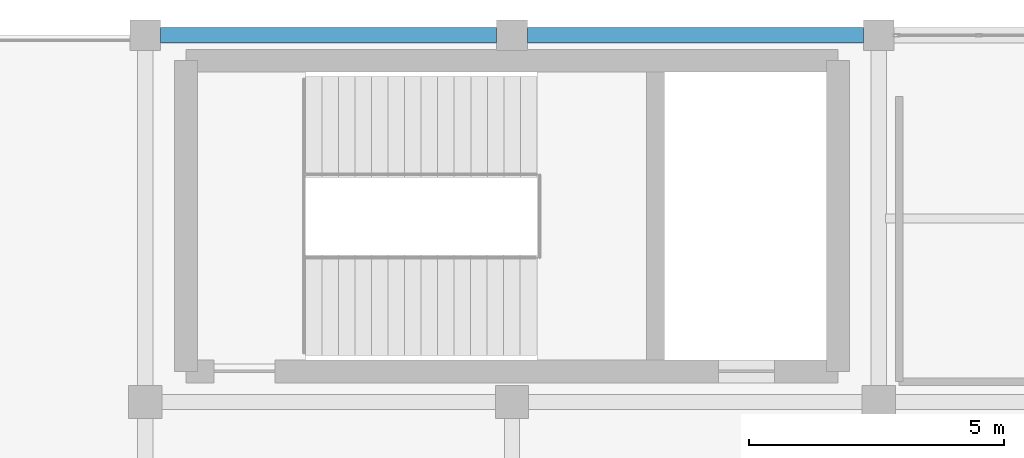
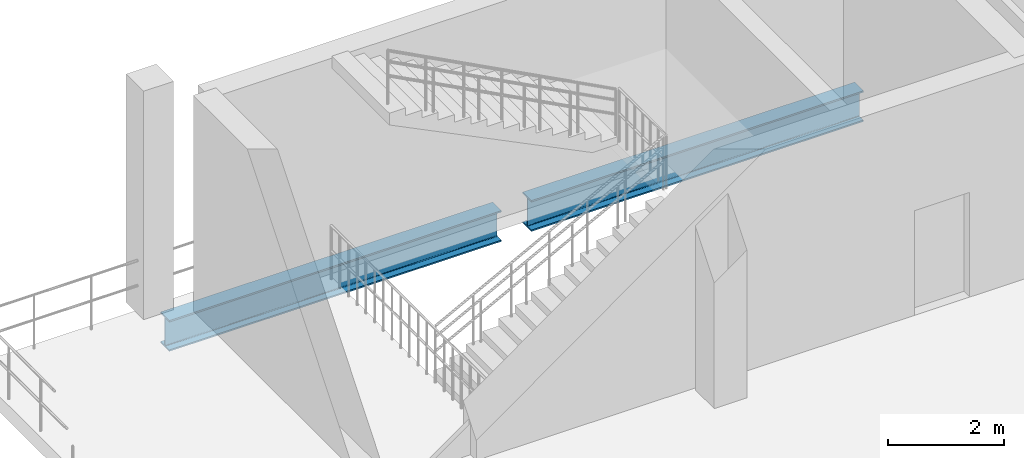
# One storey, part 68 of 105: 2 beams.
"""IFC4 building model written with IfcOpenShell, lengths in metres."""

from ifc_helpers import new_model, si_unit, direction, frame, origin, origin_2d, place, context, subcontext, project, spatial, i_section, extrude, material, material_profile, profile_set, type_object, element, save


model = new_model("IFC4")

# Units and contexts
model_context = context("Model", 3, precision=1e-05, world=origin(), true_north=direction((0.0, 1.0)))
body_context = subcontext(model_context, "Body", "Model", "MODEL_VIEW")
ifc_project = project(units=[si_unit("LENGTHUNIT", "METRE"), si_unit("AREAUNIT", "SQUARE_METRE"), si_unit("VOLUMEUNIT", "CUBIC_METRE"), si_unit("PLANEANGLEUNIT", "RADIAN"), si_unit("MASSUNIT", "GRAM", prefix="KILO")], contexts=[model_context])

# Site, building, storey
site_placement = place(None, origin())
site = spatial("IfcSite", under=ifc_project, at=site_placement, CompositionType="ELEMENT")
building_placement = place(site_placement, origin())
building = spatial("IfcBuilding", under=site, at=building_placement, Name="Qandorah Velis Arena", CompositionType="ELEMENT")
storey_placement = place(building_placement, frame((0.0, 0.0, 13.800048828125)))
storey = spatial("IfcBuildingStorey", under=building, at=storey_placement, Name="L03", CompositionType="ELEMENT", Elevation=13.800048828125)

# Beams
ifc_material = material(Name="Steel S355", Category="steel")
ifc_material_profile = material_profile(ifc_material, i_section(OverallWidth=0.300048828125, OverallDepth=0.64990234375, WebThickness=0.01611328125, FlangeThickness=0.031005859375, FilletRadius=0.027099609375, at=origin_2d()), Name="HEB 650")
ifc_profile_set = profile_set([ifc_material_profile], Name="Steel S355")
beam_type = type_object("IfcBeamType", Name="STR-BM-HEB650", PredefinedType="BEAM", material=ifc_profile_set)
for number, where, z_axis, x_axis, name in (
    (1, (29.10009765625, 129.60009765625, -0.64501953125), (1.0, 0.0, 0.0), (0.0, 1.0, 0.0), "Primary floor girder L03 X-166"),
    (2, (36.300048828125, 129.60009765625, -0.64501953125), (1.0, 0.0, 0.0), (0.0, 1.0, 0.0), "Primary floor girder L03 X-167"),
):
    element("IfcBeam", number, at=place(storey_placement, frame(where, z_axis=z_axis, x_axis=x_axis)), inside=storey, type_object=beam_type, Name=name, PredefinedType="BEAM", context=body_context, shape_type="SweptSolid", body=[
        extrude(i_section(OverallWidth=0.300048828125, OverallDepth=0.64990234375, WebThickness=0.01611328125, FlangeThickness=0.031005859375, FilletRadius=0.027099609375, at=origin_2d()), origin(), (0.0, 0.0, 1.0), 6.599853515625),
    ])

save(model, "model.ifc")
